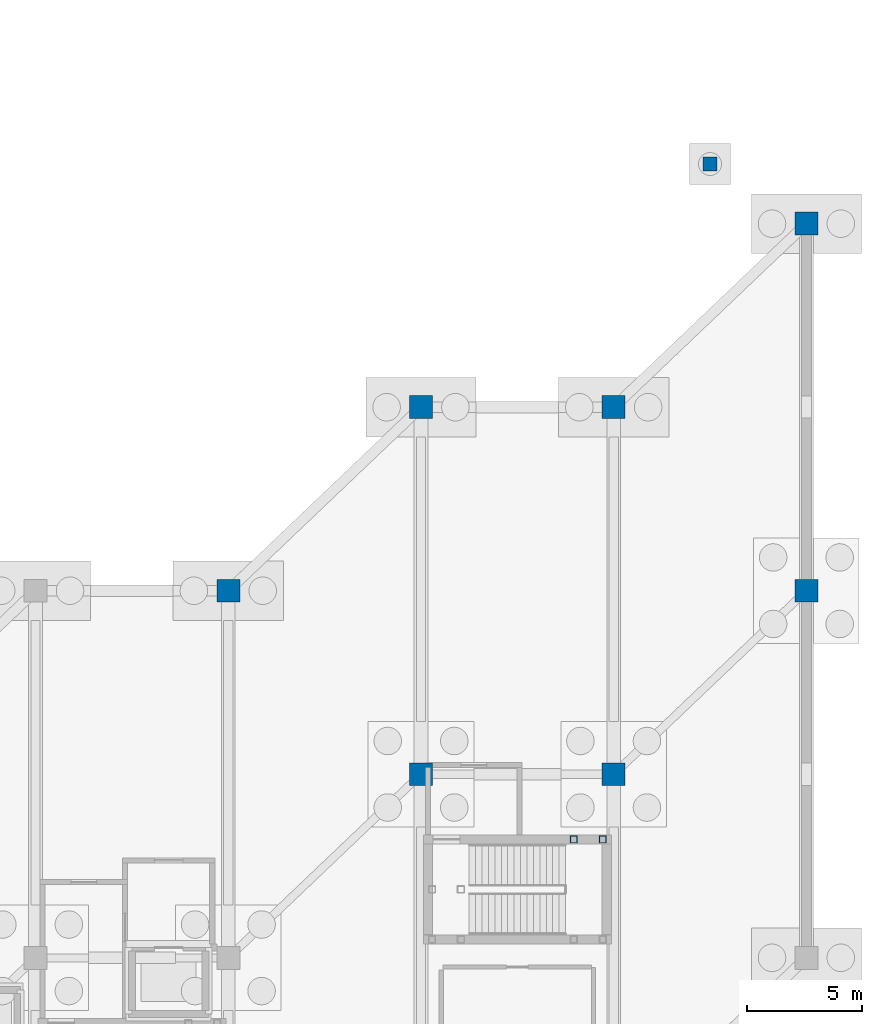
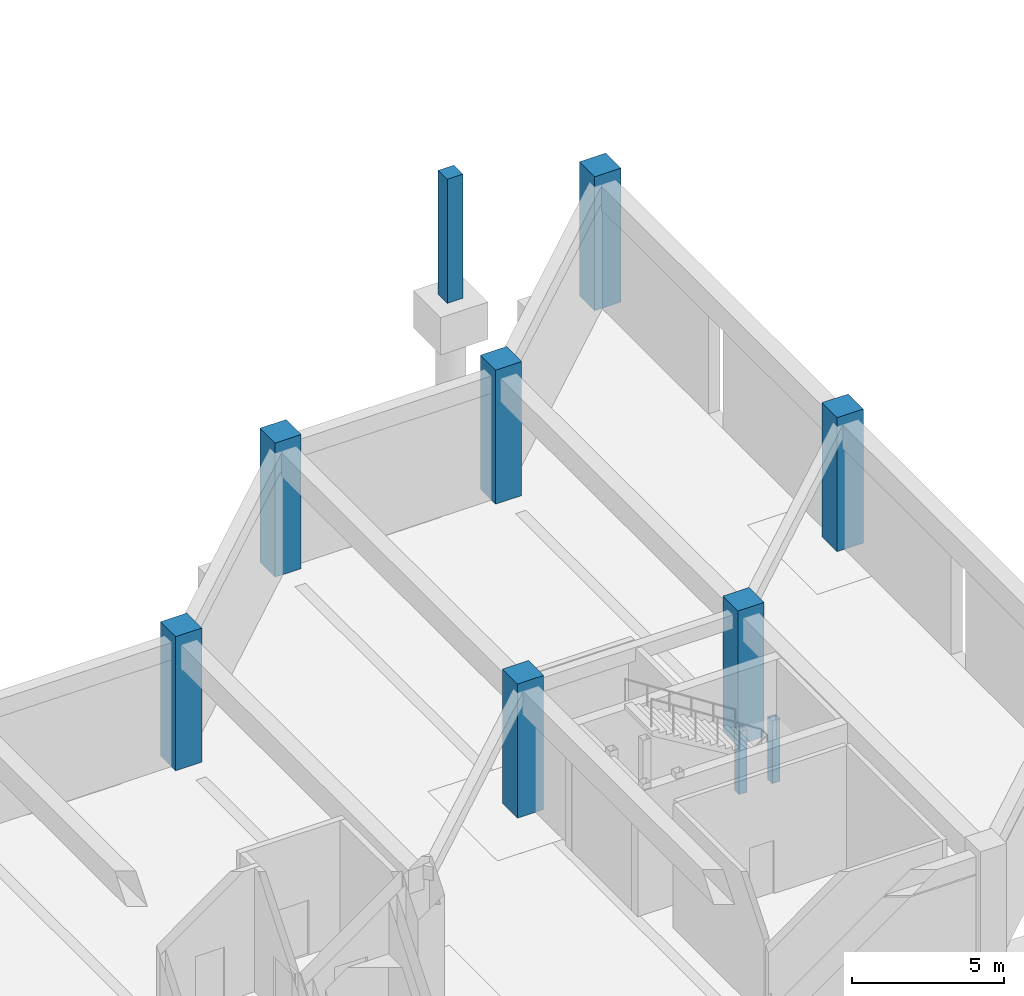
# One storey, part 28 of 56: 10 columns.
"""IFC4 building model written with IfcOpenShell, lengths in metres."""

from ifc_helpers import new_model, si_unit, direction, frame, origin, origin_2d, place, context, subcontext, project, spatial, rectangle, hollow_rectangle, extrude, material, material_profile, profile_set, type_object, element, save


model = new_model("IFC4")

# Units and contexts
model_context = context("Model", 3, precision=1e-05, world=origin(), true_north=direction((0.0, 1.0)))
body_context = subcontext(model_context, "Body", "Model", "MODEL_VIEW")
ifc_project = project(units=[si_unit("LENGTHUNIT", "METRE"), si_unit("AREAUNIT", "SQUARE_METRE"), si_unit("VOLUMEUNIT", "CUBIC_METRE"), si_unit("PLANEANGLEUNIT", "RADIAN"), si_unit("MASSUNIT", "GRAM", prefix="KILO")], contexts=[model_context])

# Site, building, storey
site_placement = place(None, origin())
site = spatial("IfcSite", under=ifc_project, at=site_placement, CompositionType="ELEMENT")
building_placement = place(site_placement, origin())
building = spatial("IfcBuilding", under=site, at=building_placement, Name="Naruveol Harbour Congress Hotel", CompositionType="ELEMENT")
storey_placement = place(building_placement, frame((0.0, 0.0, -5.39990234375)))
storey = spatial("IfcBuildingStorey", under=building, at=storey_placement, Name="B01", CompositionType="ELEMENT", Elevation=-5.39990234375)

# Columns
ifc_material_1 = material(Name="Concrete C50/60", Category="concrete")
ifc_material_profile_1 = material_profile(ifc_material_1, rectangle(XDim=1.0, YDim=1.0, at=origin_2d()), Name="RC-1000x1000")
ifc_profile_set_1 = profile_set([ifc_material_profile_1], Name="Concrete C50/60")
column_type_1 = type_object("IfcColumnType", Name="RC PRIMARY COLUMN 1000X1000", PredefinedType="COLUMN", material=ifc_profile_set_1)
for number, where, z_axis, x_axis, name in (
    (1, (159.60009765625, 40.0, 0.0), (0.0, 0.0, 1.0), (1.0, 0.0, 0.0), "Column C-1000 B01 (159.6,40.0)"),
    (2, (168.0, 32.0, 0.0), (0.0, 0.0, 1.0), (1.0, 0.0, 0.0), "Column C-1000 B01 (168.0,32.0)"),
    (3, (168.0, 48.0, 0.0), (0.0, 0.0, 1.0), (1.0, 0.0, 0.0), "Column C-1000 B01 (168.0,48.0)"),
    (4, (176.39990234375, 32.0, 0.0), (0.0, 0.0, 1.0), (1.0, 0.0, 0.0), "Column C-1000 B01 (176.4,32.0)"),
    (5, (176.39990234375, 48.0, 0.0), (0.0, 0.0, 1.0), (1.0, 0.0, 0.0), "Column C-1000 B01 (176.4,48.0)"),
    (6, (184.800048828125, 40.0, 0.0), (0.0, 0.0, 1.0), (1.0, 0.0, 0.0), "Column C-1000 B01 (184.8,40.0)"),
    (7, (184.800048828125, 56.0, 0.0), (0.0, 0.0, 1.0), (1.0, 0.0, 0.0), "Column C-1000 B01 (184.8,56.0)"),
):
    element("IfcColumn", number, at=place(storey_placement, frame(where, z_axis=z_axis, x_axis=x_axis)), inside=storey, type_object=column_type_1, Name=name, PredefinedType="COLUMN", context=body_context, shape_type="SweptSolid", body=[
        extrude(rectangle(XDim=1.0, YDim=1.0, at=origin_2d()), origin(), (0.0, 0.0, 1.0), 5.39990234375),
    ])
ifc_material_2 = material(Name="Concrete C40/50", Category="concrete")
ifc_material_profile_2 = material_profile(ifc_material_2, rectangle(XDim=0.60009765625, YDim=0.60009765625, at=origin_2d()), Name="RC-600x600")
ifc_profile_set_2 = profile_set([ifc_material_profile_2], Name="Concrete C40/50")
column_type_2 = type_object("IfcColumnType", Name="RC UPPER COLUMN 600X600", PredefinedType="COLUMN", material=ifc_profile_set_2)
column_placement = place(storey_placement, frame((180.60009765625, 58.60009765625, 0.0), z_axis=(0.0, 0.0, 1.0), x_axis=(1.0, 0.0, 0.0)))
element("IfcColumn", 8, at=column_placement, inside=storey, type_object=column_type_2, Name="Column C-600 B01 (180.6,58.6)", PredefinedType="COLUMN", context=body_context, shape_type="SweptSolid", body=[
    extrude(rectangle(XDim=0.60009765625, YDim=0.60009765625, at=origin_2d()), origin(), (0.0, 0.0, 1.0), 5.0),
])
ifc_material_3 = material(Name="Steel SN490", Category="steel")
ifc_material_profile_3 = material_profile(ifc_material_3, hollow_rectangle(XDim=0.300048828125, YDim=0.300048828125, WallThickness=0.011962890625, at=origin_2d()), Name="SHS-300x300x12")
ifc_profile_set_3 = profile_set([ifc_material_profile_3], Name="Steel SN490")
column_type_3 = type_object("IfcColumnType", Name="STEEL COLONNADE POST SHS300", PredefinedType="COLUMN", material=ifc_profile_set_3)
for number, where, z_axis, x_axis, name in (
    (9, (174.659912109375, 29.159912109375, 0.0), (0.0, 0.0, 1.0), (1.0, 0.0, 0.0), "Stair landing support post ST4E #313"),
    (10, (175.919921875, 29.159912109375, 0.0), (0.0, 0.0, 1.0), (1.0, 0.0, 0.0), "Stair landing support post ST4E #329"),
):
    element("IfcColumn", number, at=place(storey_placement, frame(where, z_axis=z_axis, x_axis=x_axis)), inside=storey, type_object=column_type_3, Name=name, PredefinedType="COLUMN", context=body_context, shape_type="SweptSolid", body=[
        extrude(hollow_rectangle(XDim=0.300048828125, YDim=0.300048828125, WallThickness=0.011962890625, at=origin_2d()), origin(), (0.0, 0.0, 1.0), 2.52001953125),
    ])

save(model, "model.ifc")
